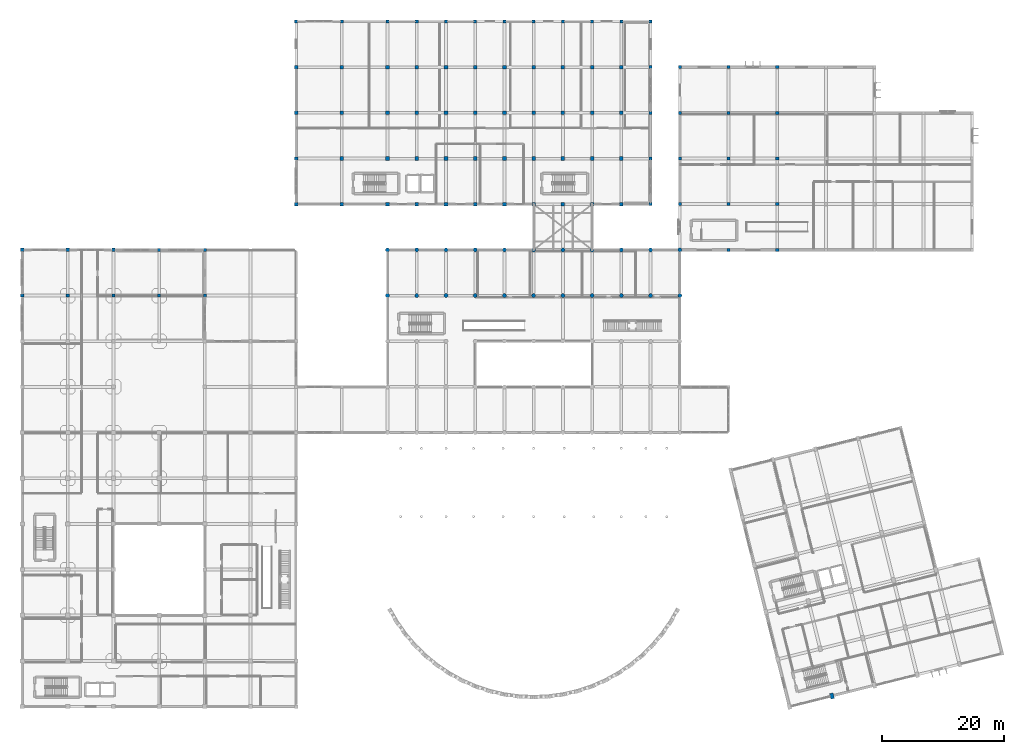
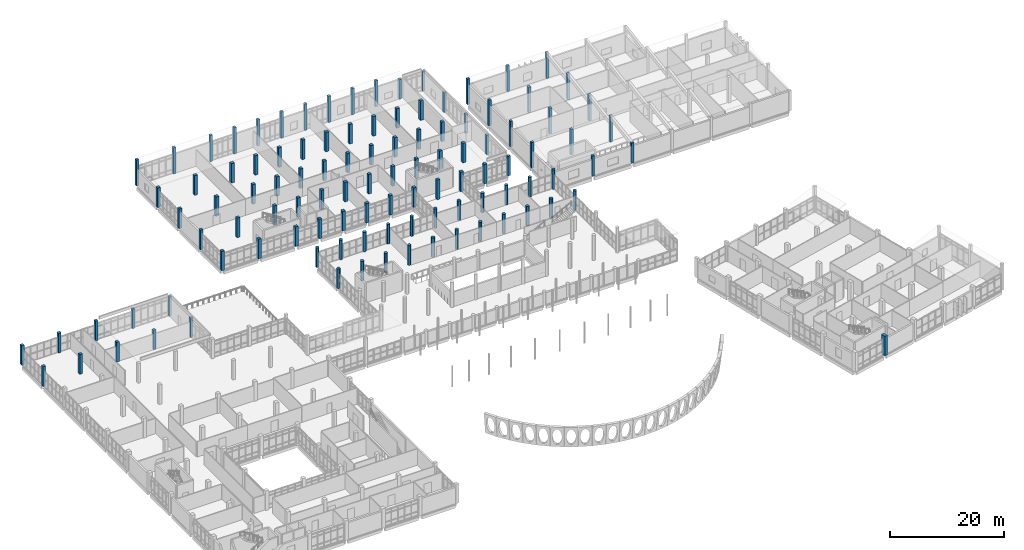
# One storey, part 12 of 164: 107 columns.
"""IFC4 building model written with IfcOpenShell, lengths in metres."""

import ifcopenshell
import ifcopenshell.guid

model = None  # the IFC model being written
_history = None  # IfcOwnerHistory: only IFC2X3 demands one
_inside = {}  # id of a spatial element -> (the spatial element, [elements in it])
_under = {}  # id of a project, library or spatial element -> (it, [spatial elements below it])
_declared = {}  # id of a project -> (the project, [libraries it declares])
_typed = {}  # id of a type object -> (the type object, [elements of that type])
_made_of = {}  # id of a material, layer set ... -> (it, [elements and type objects made of it])


def new_model(schema):
    """Start an empty IFC model of exactly this schema.

    Asked for "IFC4X3", IfcOpenShell would pick the latest addendum, in which some entities
    have other attributes; the version numbers below select the first issue.
    IFC2X3 requires an IfcOwnerHistory on every rooted entity: one is made here for all.
    """
    global model, _history
    if schema == "IFC4X3":
        model = ifcopenshell.file(schema_version=(4, 3, 0, 0))
    else:
        model = ifcopenshell.file(schema=schema)
    _inside.clear()
    _under.clear()
    _declared.clear()
    _typed.clear()
    _made_of.clear()
    _history = None
    if model.schema == "IFC2X3":
        org = make("IfcOrganization", Name="unknown")
        user = make(
            "IfcPersonAndOrganization",
            ThePerson=make("IfcPerson", FamilyName="unknown"),
            TheOrganization=org,
        )
        app = make(
            "IfcApplication",
            ApplicationDeveloper=org,
            Version="unknown",
            ApplicationFullName="unknown",
            ApplicationIdentifier="unknown",
        )
        _history = make(
            "IfcOwnerHistory",
            OwningUser=user,
            OwningApplication=app,
            ChangeAction="ADDED",
            CreationDate=0,
        )
    return model


def make(cls, **values):
    """One entity of the class cls with the attributes given. An attribute that is None is left unset."""
    return model.create_entity(
        cls, **{name: value for name, value in values.items() if value is not None}
    )


def rooted(cls, **values):
    """An entity with a GlobalId (a new one), such as an element, a storey or a relation."""
    return make(cls, GlobalId=ifcopenshell.guid.new(), OwnerHistory=_history, **values)


def si_unit(unit_type, name, prefix=None):
    """IfcSIUnit, for example si_unit("LENGTHUNIT", "METRE", prefix="MILLI")."""
    return make("IfcSIUnit", UnitType=unit_type, Prefix=prefix, Name=name)


def assignment(units):
    """IfcUnitAssignment: the units of a project."""
    return None if units is None else make("IfcUnitAssignment", Units=units)


def point(xyz):
    """IfcCartesianPoint."""
    return None if xyz is None else make("IfcCartesianPoint", Coordinates=xyz)


def direction(xyz):
    """IfcDirection."""
    return None if xyz is None else make("IfcDirection", DirectionRatios=xyz)


def frame(location, z_axis=None, x_axis=None):
    """IfcAxis2Placement3D, a coordinate frame: its origin and axes. An axis left out is left unset."""
    return make(
        "IfcAxis2Placement3D",
        Location=point(location),
        Axis=direction(z_axis),
        RefDirection=direction(x_axis),
    )


def frame_2d(location, x_axis=None):
    """IfcAxis2Placement2D, a coordinate frame in the plane: its origin and x axis."""
    return make(
        "IfcAxis2Placement2D", Location=point(location), RefDirection=direction(x_axis)
    )


def origin():
    """The frame at (0, 0, 0) with its axes left unset."""
    return frame((0.0, 0.0, 0.0))


def origin_2d():
    """The frame at (0, 0) in the plane with its x axis left unset."""
    return frame_2d((0.0, 0.0))


def place(relative_to, where):
    """IfcLocalPlacement: puts the frame where relative to a parent placement (None: the world)."""
    return make(
        "IfcLocalPlacement", PlacementRelTo=relative_to, RelativePlacement=where
    )


def context(
    kind, dimensions, precision=None, world=None, true_north=None, identifier=None
):
    """IfcGeometricRepresentationContext, for example the 3D "Model" context."""
    return make(
        "IfcGeometricRepresentationContext",
        ContextIdentifier=identifier,
        ContextType=kind,
        CoordinateSpaceDimension=dimensions,
        Precision=precision,
        WorldCoordinateSystem=world,
        TrueNorth=true_north,
    )


def subcontext(parent, identifier, kind, view, scale=None):
    """IfcGeometricRepresentationSubContext, for example "Body" below "Model"."""
    return make(
        "IfcGeometricRepresentationSubContext",
        ContextIdentifier=identifier,
        ContextType=kind,
        ParentContext=parent,
        TargetScale=scale,
        TargetView=view,
    )


def project(units=None, contexts=None):
    """IfcProject with its units and contexts."""
    return rooted(
        "IfcProject",
        Name="project",
        RepresentationContexts=contexts,
        UnitsInContext=assignment(units),
    )


def spatial(cls, under=None, at=None, **own):
    """A site, building, storey or space (cls), placed at a placement, below another one or the project."""
    s = rooted(cls, ObjectPlacement=at, **own)
    if under is not None:
        _under.setdefault(under.id(), (under, []))[1].append(s)
    return s


def profile(cls, at=None, kind="AREA", **sizes):
    """A parametric profile (cls). Its sizes go by their IFC names, for example OverallWidth=200.0."""
    return make(cls, ProfileType=kind, Position=at, **sizes)


def rectangle(**sizes):
    """IfcRectangleProfileDef."""
    return profile("IfcRectangleProfileDef", **sizes)


def circle(**sizes):
    """IfcCircleProfileDef."""
    return profile("IfcCircleProfileDef", **sizes)


def extrude(swept, where, along, depth):
    """IfcExtrudedAreaSolid: the profile swept, set in the frame where, extruded along a direction by depth."""
    return make(
        "IfcExtrudedAreaSolid",
        SweptArea=swept,
        Position=where,
        ExtrudedDirection=direction(along),
        Depth=depth,
    )


def shape(context_of_items, identifier, shape_type, items):
    """IfcShapeRepresentation: the items that make up one representation, for example the "Body"."""
    return make(
        "IfcShapeRepresentation",
        ContextOfItems=context_of_items,
        RepresentationIdentifier=identifier,
        RepresentationType=shape_type,
        Items=items,
    )


def material(Name=None, Category=None):
    """IfcMaterial."""
    return make("IfcMaterial", Name=Name, Category=Category)


def material_profile(
    of_material, cross_section, Name=None, Category=None, Priority=None
):
    """IfcMaterialProfile: a cross section and its material."""
    return make(
        "IfcMaterialProfile",
        Name=Name,
        Material=of_material,
        Profile=cross_section,
        Priority=Priority,
        Category=Category,
    )


def profile_set(profiles, Name=None, composite=None):
    """IfcMaterialProfileSet."""
    return make(
        "IfcMaterialProfileSet",
        Name=Name,
        MaterialProfiles=profiles,
        CompositeProfile=composite,
    )


def made_of(thing, what):
    """Note that an element or type object is made of a material, layer set ...; save() writes the relation."""
    if what is not None:
        _made_of.setdefault(what.id(), (what, []))[1].append(thing)
    return thing


def type_object(cls, material=None, **own):
    """A type object (cls), such as IfcWallType, which elements share."""
    return made_of(rooted(cls, **own), material)


def element(
    cls,
    number,
    at=None,
    inside=None,
    cuts=None,
    type_object=None,
    material=None,
    context=None,
    identifier="Body",
    shape_type=None,
    held_by="IfcProductDefinitionShape",
    body=None,
    shapes=None,
    **own,
):
    """One element of the class cls, such as IfcWall. Its Tag is "e" and its number.

    at: its placement. inside: the storey or other place that contains it. cuts: it is an
    opening in that element (IfcRelVoidsElement). A single representation is given by context,
    identifier, shape_type and body (its items); several are given by shapes. held_by: the class
    of the entity that holds the representations. save() writes the other relations.
    """
    e = rooted(cls, Tag="e%d" % number, ObjectPlacement=at, **own)
    if body is not None:
        shapes = [shape(context, identifier, shape_type, body)]
    if shapes is not None:
        e.Representation = make(held_by, Representations=shapes)
    if inside is not None:
        _inside.setdefault(inside.id(), (inside, []))[1].append(e)
    if cuts is not None:
        rooted(
            "IfcRelVoidsElement", RelatingBuildingElement=cuts, RelatedOpeningElement=e
        )
    if type_object is not None:
        _typed.setdefault(type_object.id(), (type_object, []))[1].append(e)
    return made_of(e, material)


def aggregate(whole, parts):
    """IfcRelAggregates: a whole, such as a stair, and the parts it consists of."""
    return rooted("IfcRelAggregates", RelatingObject=whole, RelatedObjects=parts)


def save(model, path):
    """Write the relations noted so far, then the file.

    IfcRelAggregates (storeys below a building ...), IfcRelContainedInSpatialStructure (elements
    in a storey), IfcRelDefinesByType, IfcRelAssociatesMaterial and IfcRelDeclares: one each for
    every whole, place, type object, material and project.
    """
    for whole, parts in _under.values():
        aggregate(whole, parts)
    for where, things in _inside.values():
        rooted(
            "IfcRelContainedInSpatialStructure",
            RelatedElements=things,
            RelatingStructure=where,
        )
    for kind, things in _typed.values():
        rooted("IfcRelDefinesByType", RelatedObjects=things, RelatingType=kind)
    for what, things in _made_of.values():
        rooted("IfcRelAssociatesMaterial", RelatedObjects=things, RelatingMaterial=what)
    for by, libraries in _declared.values():
        rooted("IfcRelDeclares", RelatingContext=by, RelatedDefinitions=libraries)
    model.write(path)


model = new_model("IFC4")

# Units and contexts
model_context = context("Model", 3, precision=1e-05, world=origin(), true_north=direction((0.0, 1.0)))
body_context = subcontext(model_context, "Body", "Model", "MODEL_VIEW")
ifc_project = project(units=[si_unit("LENGTHUNIT", "METRE"), si_unit("AREAUNIT", "SQUARE_METRE"), si_unit("VOLUMEUNIT", "CUBIC_METRE"), si_unit("PLANEANGLEUNIT", "RADIAN"), si_unit("MASSUNIT", "GRAM", prefix="KILO")], contexts=[model_context])

# Site, building, storey
site_placement = place(None, origin())
site = spatial("IfcSite", under=ifc_project, at=site_placement, CompositionType="ELEMENT")
building_placement = place(site_placement, origin())
building = spatial("IfcBuilding", under=site, at=building_placement, Name="Mawjan Specialist Oncology Clinic", CompositionType="ELEMENT")
storey_placement = place(building_placement, frame((0.0, 0.0, 5.0)))
storey = spatial("IfcBuildingStorey", under=building, at=storey_placement, Name="L01", CompositionType="ELEMENT", Elevation=5.0)

# Columns
ifc_material_1 = material(Name="Concrete C45/55", Category="concrete")
ifc_material_profile_1 = material_profile(ifc_material_1, rectangle(XDim=0.5, YDim=0.5, at=origin_2d()), Name="RC COL 500x500", Category="concrete")
ifc_profile_set_1 = profile_set([ifc_material_profile_1], Name="Concrete C45/55")
column_type_1 = type_object("IfcColumnType", Name="C-500", PredefinedType="COLUMN", material=ifc_profile_set_1)
for number, where, z_axis, x_axis, name in (
    (1, (22.5, 68.300048828125, 0.0), (0.0, 0.0, 1.0), (1.0, 0.0, 0.0), "L01 Column G-4-K"),
    (2, (22.5, 75.800048828125, 0.0), (0.0, 0.0, 1.0), (1.0, 0.0, 0.0), "L01 Column G-4-L"),
    (3, (30.0, 68.300048828125, 0.0), (0.0, 0.0, 1.0), (1.0, 0.0, 0.0), "L01 Column G-5-K"),
    (4, (30.0, 75.800048828125, 0.0), (0.0, 0.0, 1.0), (1.0, 0.0, 0.0), "L01 Column G-5-L"),
):
    element("IfcColumn", number, at=place(storey_placement, frame(where, z_axis=z_axis, x_axis=x_axis)), inside=storey, type_object=column_type_1, Name=name, PredefinedType="COLUMN", context=body_context, shape_type="SweptSolid", body=[
        extrude(rectangle(XDim=0.5, YDim=0.5, at=origin_2d()), origin(), (0.0, 0.0, 1.0), 4.199951171875),
    ])
for number, where, z_axis, x_axis, name in (
    (5, (45.0, 113.300048828125, 0.0), (0.0, 0.0, 1.0), (1.0, 0.0, 0.0), "L01 Column G-7-R"),
    (6, (52.5, 113.300048828125, 0.0), (0.0, 0.0, 1.0), (1.0, 0.0, 0.0), "L01 Column G-8-R"),
    (7, (60.0, 113.300048828125, 0.0), (0.0, 0.0, 1.0), (1.0, 0.0, 0.0), "L01 Column G-9-R"),
    (8, (64.800048828125, 113.300048828125, 0.0), (0.0, 0.0, 1.0), (1.0, 0.0, 0.0), "L01 Column G-10-R"),
    (9, (69.60009765625, 113.300048828125, 0.0), (0.0, 0.0, 1.0), (1.0, 0.0, 0.0), "L01 Column G-11-R"),
    (10, (74.39990234375, 113.300048828125, 0.0), (0.0, 0.0, 1.0), (1.0, 0.0, 0.0), "L01 Column G-12-R"),
    (11, (79.199951171875, 113.300048828125, 0.0), (0.0, 0.0, 1.0), (1.0, 0.0, 0.0), "L01 Column G-13-R"),
    (12, (84.0, 113.300048828125, 0.0), (0.0, 0.0, 1.0), (1.0, 0.0, 0.0), "L01 Column G-14-R"),
    (13, (88.800048828125, 113.300048828125, 0.0), (0.0, 0.0, 1.0), (1.0, 0.0, 0.0), "L01 Column G-15-R"),
    (14, (93.60009765625, 113.300048828125, 0.0), (0.0, 0.0, 1.0), (1.0, 0.0, 0.0), "L01 Column G-16-R"),
):
    element("IfcColumn", number, at=place(storey_placement, frame(where, z_axis=z_axis, x_axis=x_axis)), inside=storey, type_object=column_type_1, Name=name, PredefinedType="COLUMN", context=body_context, shape_type="SweptSolid", body=[
        extrude(rectangle(XDim=0.5, YDim=0.5, at=origin_2d()), origin(), (0.0, 0.0, 1.0), 5.635986328125),
    ])
for number, where, z_axis, x_axis, name in (
    (15, (98.39990234375, 113.300048828125, 0.0), (0.0, 0.0, 1.0), (1.0, 0.0, 0.0), "L01 Column G-17-R"),
    (16, (103.199951171875, 83.300048828125, 0.0), (0.0, 0.0, 1.0), (1.0, 0.0, 0.0), "L01 Column G-18-M"),
    (17, (103.199951171875, 90.800048828125, 0.0), (0.0, 0.0, 1.0), (1.0, 0.0, 0.0), "L01 Column G-18-N"),
    (18, (103.199951171875, 98.300048828125, 0.0), (0.0, 0.0, 1.0), (1.0, 0.0, 0.0), "L01 Column G-18-P"),
    (19, (103.199951171875, 105.800048828125, 0.0), (0.0, 0.0, 1.0), (1.0, 0.0, 0.0), "L01 Column G-18-Q"),
    (20, (103.199951171875, 113.300048828125, 0.0), (0.0, 0.0, 1.0), (1.0, 0.0, 0.0), "L01 Column G-18-R"),
):
    element("IfcColumn", number, at=place(storey_placement, frame(where, z_axis=z_axis, x_axis=x_axis)), inside=storey, type_object=column_type_1, Name=name, PredefinedType="COLUMN", context=body_context, shape_type="SweptSolid", body=[
        extrude(rectangle(XDim=0.5, YDim=0.5, at=origin_2d()), origin(), (0.0, 0.0, 1.0), 4.199951171875),
    ])
for number, where, z_axis, x_axis, name in (
    (21, (108.0, 83.300048828125, 0.0), (0.0, 0.0, 1.0), (1.0, 0.0, 0.0), "L01 Column G-19-M"),
    (22, (108.0, 90.800048828125, 0.0), (0.0, 0.0, 1.0), (1.0, 0.0, 0.0), "L01 Column G-19-N"),
    (23, (108.0, 98.300048828125, 0.0), (0.0, 0.0, 1.0), (1.0, 0.0, 0.0), "L01 Column G-19-P"),
    (24, (108.0, 105.800048828125, 0.0), (0.0, 0.0, 1.0), (1.0, 0.0, 0.0), "L01 Column G-19-Q"),
):
    element("IfcColumn", number, at=place(storey_placement, frame(where, z_axis=z_axis, x_axis=x_axis)), inside=storey, type_object=column_type_1, Name=name, PredefinedType="COLUMN", context=body_context, shape_type="SweptSolid", body=[
        extrude(rectangle(XDim=0.5, YDim=0.5, at=origin_2d()), origin(), (0.0, 0.0, 1.0), 5.5),
    ])
column_1_placement = place(storey_placement, frame((116.0, 75.800048828125, 0.0), z_axis=(0.0, 0.0, 1.0), x_axis=(1.0, 0.0, 0.0)))
element("IfcColumn", 25, at=column_1_placement, inside=storey, type_object=column_type_1, Name="L01 Column G-20-L", PredefinedType="COLUMN", context=body_context, shape_type="SweptSolid", body=[
    extrude(rectangle(XDim=0.5, YDim=0.5, at=origin_2d()), origin(), (0.0, 0.0, 1.0), 4.355712890625),
])
for number, where, z_axis, x_axis, name in (
    (26, (116.0, 83.300048828125, 0.0), (0.0, 0.0, 1.0), (1.0, 0.0, 0.0), "L01 Column G-20-M"),
    (27, (116.0, 90.800048828125, 0.0), (0.0, 0.0, 1.0), (1.0, 0.0, 0.0), "L01 Column G-20-N"),
    (28, (116.0, 98.300048828125, 0.0), (0.0, 0.0, 1.0), (1.0, 0.0, 0.0), "L01 Column G-20-P"),
    (29, (116.0, 105.800048828125, 0.0), (0.0, 0.0, 1.0), (1.0, 0.0, 0.0), "L01 Column G-20-Q"),
):
    element("IfcColumn", number, at=place(storey_placement, frame(where, z_axis=z_axis, x_axis=x_axis)), inside=storey, type_object=column_type_1, Name=name, PredefinedType="COLUMN", context=body_context, shape_type="SweptSolid", body=[
        extrude(rectangle(XDim=0.5, YDim=0.5, at=origin_2d()), origin(), (0.0, 0.0, 1.0), 5.5),
    ])
column_2_placement = place(storey_placement, frame((124.0, 75.800048828125, 0.0), z_axis=(0.0, 0.0, 1.0), x_axis=(1.0, 0.0, 0.0)))
element("IfcColumn", 30, at=column_2_placement, inside=storey, type_object=column_type_1, Name="L01 Column G-21-L", PredefinedType="COLUMN", context=body_context, shape_type="SweptSolid", body=[
    extrude(rectangle(XDim=0.5, YDim=0.5, at=origin_2d()), origin(), (0.0, 0.0, 1.0), 4.355712890625),
])
for number, where, z_axis, x_axis, name in (
    (31, (124.0, 83.300048828125, 0.0), (0.0, 0.0, 1.0), (1.0, 0.0, 0.0), "L01 Column G-21-M"),
    (32, (124.0, 90.800048828125, 0.0), (0.0, 0.0, 1.0), (1.0, 0.0, 0.0), "L01 Column G-21-N"),
    (33, (124.0, 98.300048828125, 0.0), (0.0, 0.0, 1.0), (1.0, 0.0, 0.0), "L01 Column G-21-P"),
    (34, (124.0, 105.800048828125, 0.0), (0.0, 0.0, 1.0), (1.0, 0.0, 0.0), "L01 Column G-21-Q"),
):
    element("IfcColumn", number, at=place(storey_placement, frame(where, z_axis=z_axis, x_axis=x_axis)), inside=storey, type_object=column_type_1, Name=name, PredefinedType="COLUMN", context=body_context, shape_type="SweptSolid", body=[
        extrude(rectangle(XDim=0.5, YDim=0.5, at=origin_2d()), origin(), (0.0, 0.0, 1.0), 5.5),
    ])
ifc_material_2 = material(Name="Concrete C45/55", Category="concrete")
ifc_material_profile_2 = material_profile(ifc_material_2, rectangle(XDim=0.550048828125, YDim=0.550048828125, at=origin_2d()), Name="RC COL 550x550", Category="concrete")
ifc_profile_set_2 = profile_set([ifc_material_profile_2], Name="Concrete C45/55")
column_type_2 = type_object("IfcColumnType", Name="C-550", PredefinedType="COLUMN", material=ifc_profile_set_2)
for number, where, z_axis, x_axis, name in (
    (35, (0.0, 68.300048828125, 0.0), (0.0, 0.0, 1.0), (1.0, 0.0, 0.0), "L01 Column G-1-K"),
    (36, (0.0, 75.800048828125, 0.0), (0.0, 0.0, 1.0), (1.0, 0.0, 0.0), "L01 Column G-1-L"),
    (37, (7.5, 68.300048828125, 0.0), (0.0, 0.0, 1.0), (1.0, 0.0, 0.0), "L01 Column G-2-K"),
    (38, (7.5, 75.800048828125, 0.0), (0.0, 0.0, 1.0), (1.0, 0.0, 0.0), "L01 Column G-2-L"),
    (39, (15.0, 68.300048828125, 0.0), (0.0, 0.0, 1.0), (1.0, 0.0, 0.0), "L01 Column G-3-K"),
    (40, (15.0, 75.800048828125, 0.0), (0.0, 0.0, 1.0), (1.0, 0.0, 0.0), "L01 Column G-3-L"),
):
    element("IfcColumn", number, at=place(storey_placement, frame(where, z_axis=z_axis, x_axis=x_axis)), inside=storey, type_object=column_type_2, Name=name, PredefinedType="COLUMN", context=body_context, shape_type="SweptSolid", body=[
        extrude(rectangle(XDim=0.550048828125, YDim=0.550048828125, at=origin_2d()), origin(), (0.0, 0.0, 1.0), 4.25),
    ])
for number, where, z_axis, x_axis, name in (
    (41, (45.0, 83.300048828125, 0.0), (0.0, 0.0, 1.0), (1.0, 0.0, 0.0), "L01 Column G-7-M"),
    (42, (45.0, 90.800048828125, 0.0), (0.0, 0.0, 1.0), (1.0, 0.0, 0.0), "L01 Column G-7-N"),
):
    element("IfcColumn", number, at=place(storey_placement, frame(where, z_axis=z_axis, x_axis=x_axis)), inside=storey, type_object=column_type_2, Name=name, PredefinedType="COLUMN", context=body_context, shape_type="SweptSolid", body=[
        extrude(rectangle(XDim=0.550048828125, YDim=0.550048828125, at=origin_2d()), origin(), (0.0, 0.0, 1.0), 4.199951171875),
    ])
ifc_material_3 = material(Name="Concrete C45/55", Category="concrete")
ifc_material_profile_3 = material_profile(ifc_material_3, rectangle(XDim=0.60009765625, YDim=0.60009765625, at=origin_2d()), Name="RC COL 600x600", Category="concrete")
ifc_profile_set_3 = profile_set([ifc_material_profile_3], Name="Concrete C45/55")
column_type_3 = type_object("IfcColumnType", Name="C-600", PredefinedType="COLUMN", material=ifc_profile_set_3)
for number, where, z_axis, x_axis, name in (
    (43, (45.0, 98.300048828125, 0.0), (0.0, 0.0, 1.0), (1.0, 0.0, 0.0), "L01 Column G-7-P"),
    (44, (45.0, 105.800048828125, 0.0), (0.0, 0.0, 1.0), (1.0, 0.0, 0.0), "L01 Column G-7-Q"),
    (45, (52.5, 83.300048828125, 0.0), (0.0, 0.0, 1.0), (1.0, 0.0, 0.0), "L01 Column G-8-M"),
    (46, (52.5, 90.800048828125, 0.0), (0.0, 0.0, 1.0), (1.0, 0.0, 0.0), "L01 Column G-8-N"),
    (47, (52.5, 98.300048828125, 0.0), (0.0, 0.0, 1.0), (1.0, 0.0, 0.0), "L01 Column G-8-P"),
    (48, (52.5, 105.800048828125, 0.0), (0.0, 0.0, 1.0), (1.0, 0.0, 0.0), "L01 Column G-8-Q"),
    (49, (60.0, 83.300048828125, 0.0), (0.0, 0.0, 1.0), (1.0, 0.0, 0.0), "L01 Column G-9-M"),
    (50, (60.0, 90.800048828125, 0.0), (0.0, 0.0, 1.0), (1.0, 0.0, 0.0), "L01 Column G-9-N"),
    (51, (60.0, 98.300048828125, 0.0), (0.0, 0.0, 1.0), (1.0, 0.0, 0.0), "L01 Column G-9-P"),
    (52, (60.0, 105.800048828125, 0.0), (0.0, 0.0, 1.0), (1.0, 0.0, 0.0), "L01 Column G-9-Q"),
    (53, (64.800048828125, 83.300048828125, 0.0), (0.0, 0.0, 1.0), (1.0, 0.0, 0.0), "L01 Column G-10-M"),
    (54, (64.800048828125, 90.800048828125, 0.0), (0.0, 0.0, 1.0), (1.0, 0.0, 0.0), "L01 Column G-10-N"),
    (55, (64.800048828125, 98.300048828125, 0.0), (0.0, 0.0, 1.0), (1.0, 0.0, 0.0), "L01 Column G-10-P"),
    (56, (64.800048828125, 105.800048828125, 0.0), (0.0, 0.0, 1.0), (1.0, 0.0, 0.0), "L01 Column G-10-Q"),
    (57, (69.60009765625, 83.300048828125, 0.0), (0.0, 0.0, 1.0), (1.0, 0.0, 0.0), "L01 Column G-11-M"),
    (58, (69.60009765625, 90.800048828125, 0.0), (0.0, 0.0, 1.0), (1.0, 0.0, 0.0), "L01 Column G-11-N"),
    (59, (69.60009765625, 98.300048828125, 0.0), (0.0, 0.0, 1.0), (1.0, 0.0, 0.0), "L01 Column G-11-P"),
    (60, (69.60009765625, 105.800048828125, 0.0), (0.0, 0.0, 1.0), (1.0, 0.0, 0.0), "L01 Column G-11-Q"),
    (61, (74.39990234375, 83.300048828125, 0.0), (0.0, 0.0, 1.0), (1.0, 0.0, 0.0), "L01 Column G-12-M"),
    (62, (74.39990234375, 90.800048828125, 0.0), (0.0, 0.0, 1.0), (1.0, 0.0, 0.0), "L01 Column G-12-N"),
    (63, (74.39990234375, 98.300048828125, 0.0), (0.0, 0.0, 1.0), (1.0, 0.0, 0.0), "L01 Column G-12-P"),
    (64, (74.39990234375, 105.800048828125, 0.0), (0.0, 0.0, 1.0), (1.0, 0.0, 0.0), "L01 Column G-12-Q"),
    (65, (79.199951171875, 83.300048828125, 0.0), (0.0, 0.0, 1.0), (1.0, 0.0, 0.0), "L01 Column G-13-M"),
    (66, (79.199951171875, 90.800048828125, 0.0), (0.0, 0.0, 1.0), (1.0, 0.0, 0.0), "L01 Column G-13-N"),
    (67, (79.199951171875, 98.300048828125, 0.0), (0.0, 0.0, 1.0), (1.0, 0.0, 0.0), "L01 Column G-13-P"),
    (68, (79.199951171875, 105.800048828125, 0.0), (0.0, 0.0, 1.0), (1.0, 0.0, 0.0), "L01 Column G-13-Q"),
    (69, (84.0, 83.300048828125, 0.0), (0.0, 0.0, 1.0), (1.0, 0.0, 0.0), "L01 Column G-14-M"),
    (70, (84.0, 90.800048828125, 0.0), (0.0, 0.0, 1.0), (1.0, 0.0, 0.0), "L01 Column G-14-N"),
    (71, (84.0, 98.300048828125, 0.0), (0.0, 0.0, 1.0), (1.0, 0.0, 0.0), "L01 Column G-14-P"),
    (72, (84.0, 105.800048828125, 0.0), (0.0, 0.0, 1.0), (1.0, 0.0, 0.0), "L01 Column G-14-Q"),
    (73, (88.800048828125, 83.300048828125, 0.0), (0.0, 0.0, 1.0), (1.0, 0.0, 0.0), "L01 Column G-15-M"),
    (74, (88.800048828125, 90.800048828125, 0.0), (0.0, 0.0, 1.0), (1.0, 0.0, 0.0), "L01 Column G-15-N"),
    (75, (88.800048828125, 98.300048828125, 0.0), (0.0, 0.0, 1.0), (1.0, 0.0, 0.0), "L01 Column G-15-P"),
    (76, (88.800048828125, 105.800048828125, 0.0), (0.0, 0.0, 1.0), (1.0, 0.0, 0.0), "L01 Column G-15-Q"),
    (77, (93.60009765625, 83.300048828125, 0.0), (0.0, 0.0, 1.0), (1.0, 0.0, 0.0), "L01 Column G-16-M"),
    (78, (93.60009765625, 90.800048828125, 0.0), (0.0, 0.0, 1.0), (1.0, 0.0, 0.0), "L01 Column G-16-N"),
    (79, (93.60009765625, 98.300048828125, 0.0), (0.0, 0.0, 1.0), (1.0, 0.0, 0.0), "L01 Column G-16-P"),
    (80, (93.60009765625, 105.800048828125, 0.0), (0.0, 0.0, 1.0), (1.0, 0.0, 0.0), "L01 Column G-16-Q"),
    (81, (98.39990234375, 83.300048828125, 0.0), (0.0, 0.0, 1.0), (1.0, 0.0, 0.0), "L01 Column G-17-M"),
    (82, (98.39990234375, 90.800048828125, 0.0), (0.0, 0.0, 1.0), (1.0, 0.0, 0.0), "L01 Column G-17-N"),
    (83, (98.39990234375, 98.300048828125, 0.0), (0.0, 0.0, 1.0), (1.0, 0.0, 0.0), "L01 Column G-17-P"),
    (84, (98.39990234375, 105.800048828125, 0.0), (0.0, 0.0, 1.0), (1.0, 0.0, 0.0), "L01 Column G-17-Q"),
):
    element("IfcColumn", number, at=place(storey_placement, frame(where, z_axis=z_axis, x_axis=x_axis)), inside=storey, type_object=column_type_3, Name=name, PredefinedType="COLUMN", context=body_context, shape_type="SweptSolid", body=[
        extrude(rectangle(XDim=0.60009765625, YDim=0.60009765625, at=origin_2d()), origin(), (0.0, 0.0, 1.0), 4.199951171875),
    ])
ifc_material_4 = material(Name="Concrete C45/55", Category="concrete")
ifc_material_profile_4 = material_profile(ifc_material_4, rectangle(XDim=0.60009765625, YDim=0.89990234375, at=origin_2d()), Name="RC COL 600x900", Category="concrete")
ifc_profile_set_4 = profile_set([ifc_material_profile_4], Name="Concrete C45/55")
column_type_4 = type_object("IfcColumnType", Name="C-600x900", PredefinedType="COLUMN", material=ifc_profile_set_4)
column_3_placement = place(storey_placement, frame((132.986083984375, 2.541748046875, 0.0), z_axis=(0.0, 0.0, 1.0), x_axis=(0.970295726276, 0.2419218956, 0.0)))
element("IfcColumn", 85, at=column_3_placement, inside=storey, type_object=column_type_4, Name="L01 Column R-RB-R1", PredefinedType="COLUMN", context=body_context, shape_type="SweptSolid", body=[
    extrude(rectangle(XDim=0.60009765625, YDim=0.89990234375, at=origin_2d()), origin(), (0.0, 0.0, 1.0), 4.199951171875),
])
ifc_material_5 = material(Name="Concrete C45/55", Category="concrete")
ifc_material_profile_5 = material_profile(ifc_material_5, circle(Radius=0.324951171875, at=origin_2d()), Name="RC COL D650", Category="concrete")
ifc_profile_set_5 = profile_set([ifc_material_profile_5], Name="Concrete C45/55")
column_type_5 = type_object("IfcColumnType", Name="C-D650", PredefinedType="COLUMN", material=ifc_profile_set_5)
for number, where, z_axis, x_axis, name in (
    (86, (60.0, 68.300048828125, 0.0), (0.0, 0.0, 1.0), (1.0, 0.0, 0.0), "L01 Column G-9-K"),
    (87, (60.0, 75.800048828125, 0.0), (0.0, 0.0, 1.0), (1.0, 0.0, 0.0), "L01 Column G-9-L"),
    (88, (64.800048828125, 68.300048828125, 0.0), (0.0, 0.0, 1.0), (1.0, 0.0, 0.0), "L01 Column G-10-K"),
    (89, (64.800048828125, 75.800048828125, 0.0), (0.0, 0.0, 1.0), (1.0, 0.0, 0.0), "L01 Column G-10-L"),
    (90, (69.60009765625, 68.300048828125, 0.0), (0.0, 0.0, 1.0), (1.0, 0.0, 0.0), "L01 Column G-11-K"),
    (91, (69.60009765625, 75.800048828125, 0.0), (0.0, 0.0, 1.0), (1.0, 0.0, 0.0), "L01 Column G-11-L"),
    (92, (74.39990234375, 68.300048828125, 0.0), (0.0, 0.0, 1.0), (1.0, 0.0, 0.0), "L01 Column G-12-K"),
    (93, (74.39990234375, 75.800048828125, 0.0), (0.0, 0.0, 1.0), (1.0, 0.0, 0.0), "L01 Column G-12-L"),
    (94, (79.199951171875, 68.300048828125, 0.0), (0.0, 0.0, 1.0), (1.0, 0.0, 0.0), "L01 Column G-13-K"),
    (95, (79.199951171875, 75.800048828125, 0.0), (0.0, 0.0, 1.0), (1.0, 0.0, 0.0), "L01 Column G-13-L"),
    (96, (84.0, 68.300048828125, 0.0), (0.0, 0.0, 1.0), (1.0, 0.0, 0.0), "L01 Column G-14-K"),
    (97, (84.0, 75.800048828125, 0.0), (0.0, 0.0, 1.0), (1.0, 0.0, 0.0), "L01 Column G-14-L"),
    (98, (88.800048828125, 68.300048828125, 0.0), (0.0, 0.0, 1.0), (1.0, 0.0, 0.0), "L01 Column G-15-K"),
    (99, (88.800048828125, 75.800048828125, 0.0), (0.0, 0.0, 1.0), (1.0, 0.0, 0.0), "L01 Column G-15-L"),
    (100, (93.60009765625, 68.300048828125, 0.0), (0.0, 0.0, 1.0), (1.0, 0.0, 0.0), "L01 Column G-16-K"),
    (101, (93.60009765625, 75.800048828125, 0.0), (0.0, 0.0, 1.0), (1.0, 0.0, 0.0), "L01 Column G-16-L"),
    (102, (98.39990234375, 68.300048828125, 0.0), (0.0, 0.0, 1.0), (1.0, 0.0, 0.0), "L01 Column G-17-K"),
    (103, (98.39990234375, 75.800048828125, 0.0), (0.0, 0.0, 1.0), (1.0, 0.0, 0.0), "L01 Column G-17-L"),
    (104, (103.199951171875, 68.300048828125, 0.0), (0.0, 0.0, 1.0), (1.0, 0.0, 0.0), "L01 Column G-18-K"),
    (105, (103.199951171875, 75.800048828125, 0.0), (0.0, 0.0, 1.0), (1.0, 0.0, 0.0), "L01 Column G-18-L"),
    (106, (108.0, 68.300048828125, 0.0), (0.0, 0.0, 1.0), (1.0, 0.0, 0.0), "L01 Column G-19-K"),
    (107, (108.0, 75.800048828125, 0.0), (0.0, 0.0, 1.0), (1.0, 0.0, 0.0), "L01 Column G-19-L"),
):
    element("IfcColumn", number, at=place(storey_placement, frame(where, z_axis=z_axis, x_axis=x_axis)), inside=storey, type_object=column_type_5, Name=name, PredefinedType="COLUMN", context=body_context, shape_type="SweptSolid", body=[
        extrude(circle(Radius=0.324951171875, at=origin_2d()), origin(), (0.0, 0.0, 1.0), 4.199951171875),
    ])

save(model, "model.ifc")
